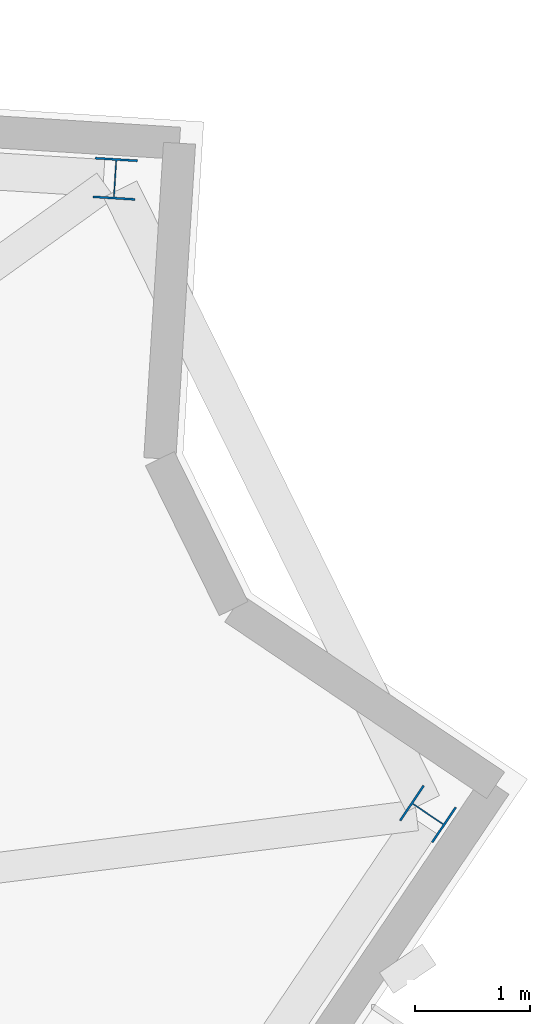
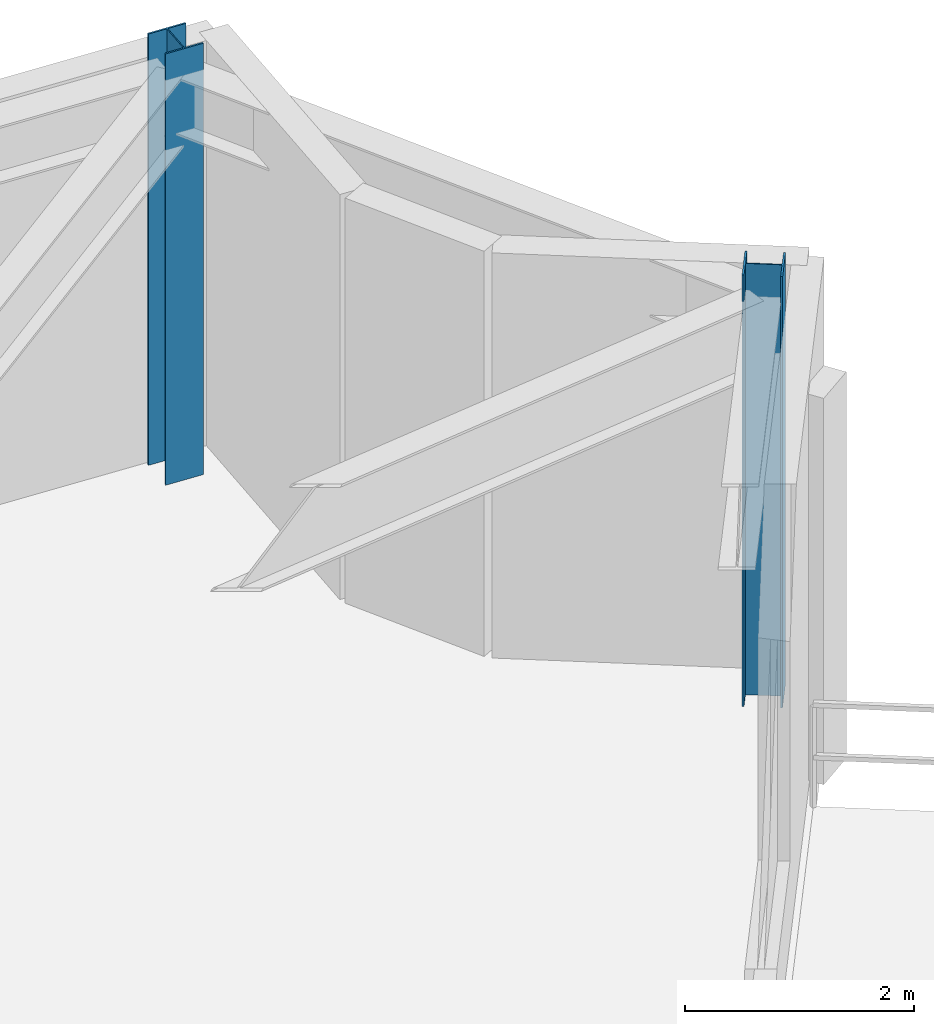
# One storey, part 3 of 15: 2 columns.
"""IFC4 building model written with IfcOpenShell, lengths in metres."""

from ifc_helpers import new_model, si_unit, direction, frame, origin, origin_2d, place, context, subcontext, project, spatial, i_section, extrude, material, material_profile, profile_set, type_object, element, save


model = new_model("IFC4")

# Units and contexts
model_context = context("Model", 3, precision=1e-05, world=origin(), true_north=direction((0.0, 1.0)))
body_context = subcontext(model_context, "Body", "Model", "MODEL_VIEW")
ifc_project = project(units=[si_unit("LENGTHUNIT", "METRE"), si_unit("AREAUNIT", "SQUARE_METRE"), si_unit("VOLUMEUNIT", "CUBIC_METRE"), si_unit("PLANEANGLEUNIT", "RADIAN"), si_unit("MASSUNIT", "GRAM", prefix="KILO")], contexts=[model_context])

# Site, building, storey
site_placement = place(None, origin())
site = spatial("IfcSite", under=ifc_project, at=site_placement, CompositionType="ELEMENT")
building_placement = place(site_placement, origin())
building = spatial("IfcBuilding", under=site, at=building_placement, Name="Apsidion Concourse Tower", CompositionType="ELEMENT")
storey_placement = place(building_placement, frame((0.0, 0.0, 318.800048828125)))
storey = spatial("IfcBuildingStorey", under=building, at=storey_placement, Name="L75", CompositionType="ELEMENT", Elevation=318.800048828125)

# Columns
ifc_material = material(Name="Structural steel ASTM A992 Grade 50", Category="steel")
ifc_material_profile = material_profile(ifc_material, i_section(OverallWidth=0.367919921875, OverallDepth=0.35595703125, WebThickness=0.01123046875, FlangeThickness=0.01806640625, at=origin_2d()), Name="W14X90")
ifc_profile_set = profile_set([ifc_material_profile], Name="Structural steel ASTM A992 Grade 50")
column_type = type_object("IfcColumnType", Name="COL-W14-90", PredefinedType="COLUMN", material=ifc_profile_set)
for number, where, z_axis, x_axis, name in (
    (1, (25.208984375, 8.83251953125, 0.0), (0.0, 0.0, 1.0), (0.559192903471, 0.829037572555, 0.0), "L75 Rotated Perimeter Column PC08"),
    (2, (22.47705078125, 14.378662109375, 0.0), (0.0, 0.0, 1.0), (-0.998081143466, 0.061919553109, 0.0), "L75 Rotated Perimeter Column PC09"),
):
    element("IfcColumn", number, at=place(storey_placement, frame(where, z_axis=z_axis, x_axis=x_axis)), inside=storey, type_object=column_type, Name=name, PredefinedType="COLUMN", context=body_context, shape_type="SweptSolid", body=[
        extrude(i_section(OverallWidth=0.367919921875, OverallDepth=0.35595703125, WebThickness=0.01123046875, FlangeThickness=0.01806640625, at=origin_2d()), origin(), (0.0, 0.0, 1.0), 4.599853515625),
    ])

save(model, "model.ifc")
